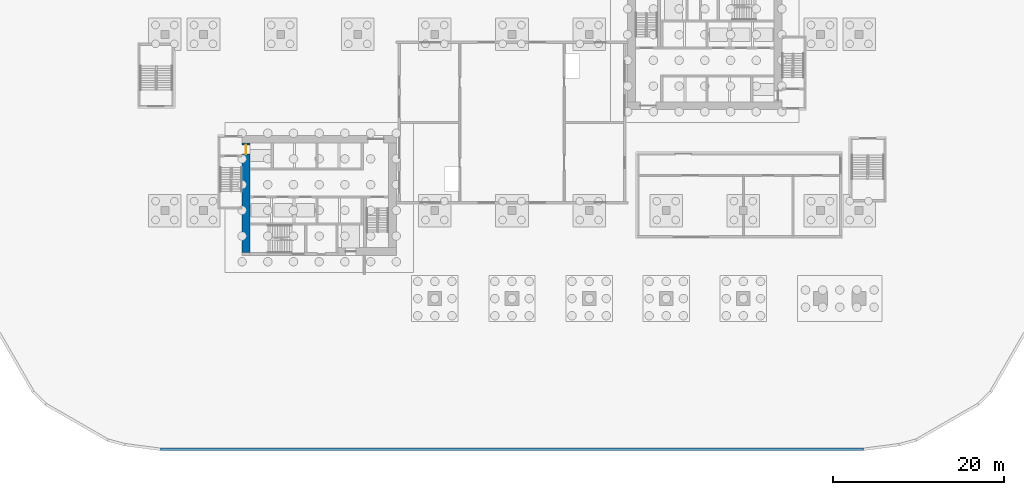
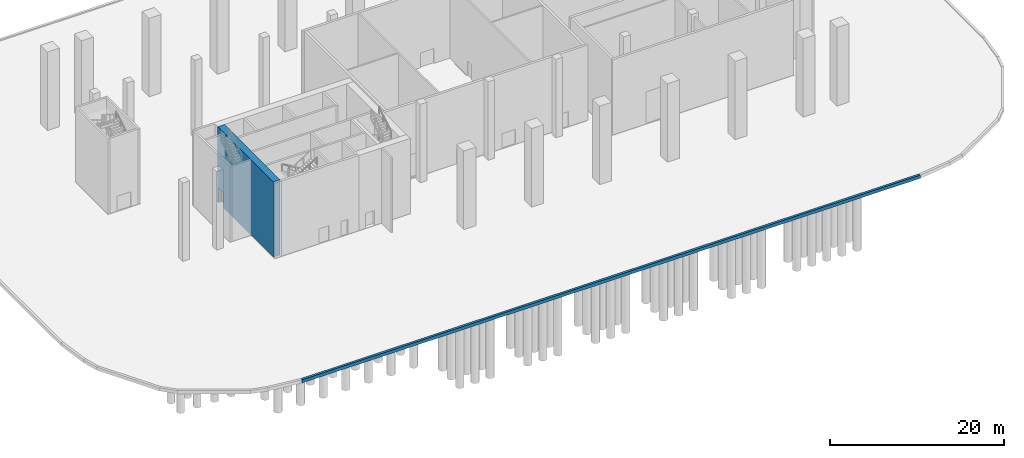
# One storey, part 4 of 26: 2 walls, 1 door, 1 opening.
"""IFC4 building model written with IfcOpenShell, lengths in metres."""

from ifc_helpers import new_model, si_unit, direction, frame, frame_2d, origin, place, context, subcontext, project, spatial, polyline, rectangle, outline, extrude, material, layer, layer_set, type_object, element, fill, save


model = new_model("IFC4")

# Units and contexts
model_context = context("Model", 3, precision=1e-05, world=origin(), true_north=direction((0.0, 1.0)))
body_context = subcontext(model_context, "Body", "Model", "MODEL_VIEW")
ifc_project = project(units=[si_unit("LENGTHUNIT", "METRE"), si_unit("AREAUNIT", "SQUARE_METRE"), si_unit("VOLUMEUNIT", "CUBIC_METRE"), si_unit("PLANEANGLEUNIT", "RADIAN"), si_unit("MASSUNIT", "GRAM", prefix="KILO")], contexts=[model_context])

# Site, building, storey
site_placement = place(None, origin())
site = spatial("IfcSite", under=ifc_project, at=site_placement, CompositionType="ELEMENT")
building_placement = place(site_placement, origin())
building = spatial("IfcBuilding", under=site, at=building_placement, Name="Kajstack Hotel Tower", CompositionType="ELEMENT")
storey_placement = place(building_placement, origin())
storey = spatial("IfcBuildingStorey", under=building, at=storey_placement, Name="L00", CompositionType="ELEMENT", Elevation=0.0)

# Wall, opening, door
ifc_material_1 = material(Name="Concrete C60/75", Category="concrete")
ifc_layer_1 = layer(ifc_material_1, 0.89990234375)
ifc_layer_set_1 = layer_set([ifc_layer_1], Name="Core wall 900")
wall_type_1 = type_object("IfcWallType", Name="Core wall 900", PredefinedType="SHEAR", material=ifc_layer_set_1)
wall_1_placement = place(storey_placement, frame((-31.050048828125, -15.199951171875, 0.0), z_axis=(0.0, 0.0, 1.0), x_axis=(0.0, 1.0, 0.0)))
wall_1 = element("IfcWall", 1, at=wall_1_placement, inside=storey, type_object=wall_type_1, Name="Core wall W RW", PredefinedType="SHEAR", context=body_context, shape_type="SweptSolid", body=[
    extrude(rectangle(XDim=12.800048828125, YDim=0.89990234375, at=frame_2d((6.39990234375, 0.0))), origin(), (0.0, 0.0, 1.0), 10.550048828125),
])
opening_placement = place(wall_1_placement, frame((11.5, 0.0, 0.0)))
opening = element("IfcOpeningElement", 2, at=opening_placement, cuts=wall_1, Name="Opening LD-FF1", PredefinedType="OPENING", context=body_context, shape_type="SweptSolid", body=[
    extrude(rectangle(XDim=1.10009765625, YDim=2.10009765625, at=frame_2d((0.550048828125, 1.050048828125))), frame((0.0, 0.4599609375, 0.0), z_axis=(0.0, -1.0, 0.0), x_axis=(1.0, 0.0, 0.0)), (0.0, 0.0, 1.0), 0.919921875),
])
ifc_material_2 = material(Name="Stainless steel", Category="steel")
door_type = type_object("IfcDoorType", Name="Fire-fighting lift landing door 1100", OperationType="SLIDING_TO_LEFT", PredefinedType="DOOR", material=ifc_material_2)
door_placement = place(opening_placement, origin())
door = element("IfcDoor", 3, at=door_placement, inside=storey, type_object=door_type, Name="Landing door FF1", OperationType="SLIDING_TO_RIGHT", OverallHeight=2.10009765625, OverallWidth=1.10009765625, PredefinedType="DOOR", context=body_context, shape_type="SweptSolid", body=[
    extrude(rectangle(XDim=1.10009765625, YDim=2.10009765625, at=frame_2d((0.550048828125, 1.050048828125))), frame((0.0, 0.02490234375, 0.0), z_axis=(0.0, -1.0, 0.0), x_axis=(1.0, 0.0, 0.0)), (0.0, 0.0, 1.0), 0.050048828125),
])
fill(opening, door)

# Wall
ifc_material_3 = material(Name="Concrete C30/37", Category="concrete")
ifc_layer_2 = layer(ifc_material_3, 0.300048828125)
ifc_layer_set_2 = layer_set([ifc_layer_2], Name="PLINTH-KERB")
wall_type_2 = type_object("IfcWallType", Name="PLINTH-KERB", PredefinedType="SOLIDWALL", material=ifc_layer_set_2)
wall_2_placement = place(storey_placement, frame((0.0, 0.0, -0.300048828125)))
element("IfcWall", 4, at=wall_2_placement, inside=storey, type_object=wall_type_2, Name="Plaza kerb 07", PredefinedType="SOLIDWALL", context=body_context, shape_type="SweptSolid", body=[
    extrude(outline(polyline([(-40.990234375, -38.0), (40.990234375, -38.0), (41.009765625, -38.300048828125), (-41.009765625, -38.300048828125), (-40.990234375, -38.0)])), origin(), (0.0, 0.0, 1.0), 0.449951171875),
])

save(model, "model.ifc")
